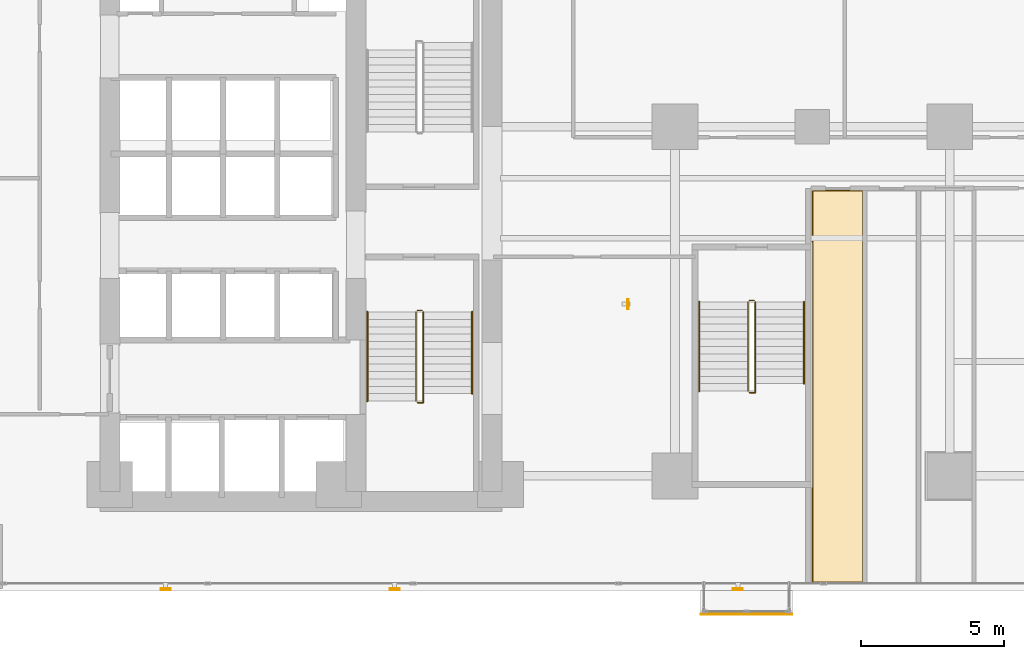
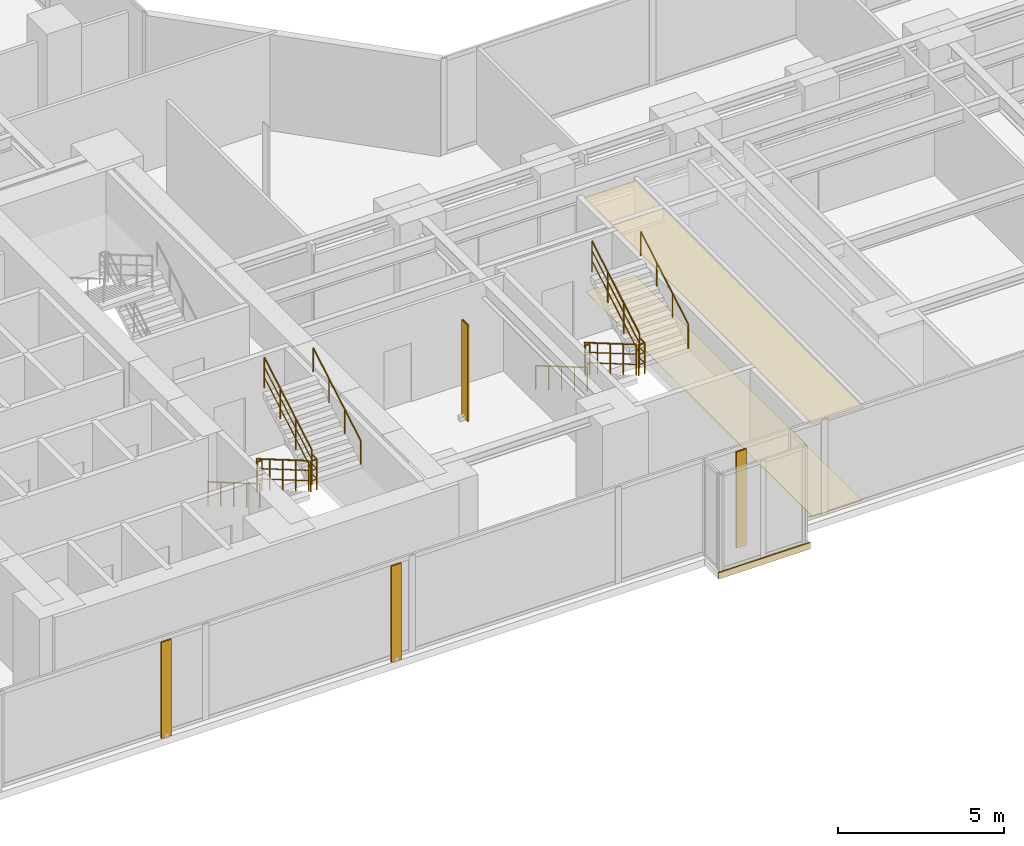
# One storey, part 25 of 27: 12 railings, 4 shading devices, 3 coverings.
"""IFC4 building model written with IfcOpenShell, lengths in metres."""

from ifc_helpers import new_model, si_unit, direction, frame, origin, origin_2d, place, context, subcontext, project, spatial, polyline, rectangle, hollow_rectangle, circle, outline, extrude, material, layer, layer_set, material_profile, profile_set, type_object, element, save


model = new_model("IFC4")

# Units and contexts
model_context = context("Model", 3, precision=1e-05, world=origin(), true_north=direction((0.0, 1.0)))
body_context = subcontext(model_context, "Body", "Model", "MODEL_VIEW")
ifc_project = project(units=[si_unit("LENGTHUNIT", "METRE"), si_unit("AREAUNIT", "SQUARE_METRE"), si_unit("VOLUMEUNIT", "CUBIC_METRE"), si_unit("PLANEANGLEUNIT", "RADIAN"), si_unit("MASSUNIT", "GRAM", prefix="KILO")], contexts=[model_context])

# Site, building, storey
site_placement = place(None, origin())
site = spatial("IfcSite", under=ifc_project, at=site_placement, CompositionType="ELEMENT")
building_placement = place(site_placement, origin())
building = spatial("IfcBuilding", under=site, at=building_placement, Name="Kolvaren Waterfront Exchange", CompositionType="ELEMENT")
storey_placement = place(building_placement, frame((0.0, 0.0, 33.39990234375)))
storey = spatial("IfcBuildingStorey", under=building, at=storey_placement, Name="L08", CompositionType="ELEMENT", Elevation=33.39990234375)

# Coverings
ifc_material_1 = material(Name="Mineral fibre acoustic ceiling tile")
ifc_layer_1 = layer(ifc_material_1, 0.02490234375, Name="Mineral fibre acoustic ceiling tile")
ifc_layer_set_1 = layer_set([ifc_layer_1], Name="Mineral fibre acoustic ceiling tile")
covering_type_1 = type_object("IfcCoveringType", Name="ARC-CEIL-ACOUSTIC-25", PredefinedType="CEILING", material=ifc_layer_set_1)
covering_1_placement = place(storey_placement, frame((0.0, 0.0, 3.425048828125)))
element("IfcCovering", 1, at=covering_1_placement, inside=storey, type_object=covering_type_1, Name="L08 acoustic suspended ceiling 1", PredefinedType="CEILING", context=body_context, shape_type="SweptSolid", body=[
    extrude(outline(polyline([(33.784912109375, 1.465087890625), (33.784912109375, 15.195068359375), (31.9951171875, 15.195068359375), (31.9951171875, 13.35009765625), (32.0, 13.35009765625), (32.0, 4.800048828125), (31.9951171875, 4.800048828125), (31.9951171875, 1.465087890625), (33.784912109375, 1.465087890625)])), origin(), (0.0, 0.0, 1.0), 0.025146484375),
])
ifc_material_2 = material(Name="Anodised bronze fascia aluminium", Category="aluminium")
ifc_layer_2 = layer(ifc_material_2, 0.034912109375, Name="Anodised bronze fascia aluminium")
ifc_layer_set_2 = layer_set([ifc_layer_2], Name="Anodised bronze fascia aluminium")
covering_type_2 = type_object("IfcCoveringType", Name="ARC-CLAD-BRONZE-35", PredefinedType="CLADDING", material=ifc_layer_set_2)
covering_2_placement = place(storey_placement, frame((29.699951171875, 0.3701171875, -0.2197265625), z_axis=(0.0, 0.0, 1.0), x_axis=(1.0, 0.0, 0.0)))
element("IfcCovering", 2, at=covering_2_placement, inside=storey, type_object=covering_type_2, Name="L08 ribbed anodised bronze bay-box fascia", PredefinedType="CLADDING", context=body_context, shape_type="SweptSolid", body=[
    extrude(rectangle(XDim=3.199951171875, YDim=0.034912109375, at=origin_2d()), origin(), (0.0, 0.0, 1.0), 0.239990234375),
])

# Shading devices
ifc_material_3 = material(Name="Anodised bronze aluminium 6063-T6", Category="aluminium")
ifc_material_profile = material_profile(ifc_material_3, hollow_rectangle(XDim=0.06005859375, YDim=0.35009765625, WallThickness=0.0048828125, at=origin_2d()), Name="BRZ-FIN-350x60x5")
ifc_profile_set = profile_set([ifc_material_profile], Name="Anodised bronze aluminium 6063-T6")
shading_device_type = type_object("IfcShadingDeviceType", Name="ARC-FIN-350", PredefinedType="USERDEFINED", material=ifc_profile_set)
for number, where, z_axis, x_axis, name in (
    (3, (9.39990234375, 1.239990234375, 0.0), (0.0, 0.0, 1.0), (0.0, -1.0, 0.0), "L08 anodised bronze solar shading fin FIN-L08-S1"),
    (4, (17.39990234375, 1.239990234375, 0.0), (0.0, 0.0, 1.0), (0.0, -1.0, 0.0), "L08 anodised bronze solar shading fin FIN-L08-S2"),
    (5, (29.39990234375, 1.239990234375, 0.0), (0.0, 0.0, 1.0), (0.0, -1.0, 0.0), "L08 anodised bronze solar shading fin FIN-L08-S3"),
    (6, (25.56005859375, 11.199951171875, 0.0), (0.0, 0.0, 1.0), (1.0, 0.0, 0.0), "L08 anodised bronze solar shading fin FIN-L08-E1"),
):
    element("IfcShadingDevice", number, at=place(storey_placement, frame(where, z_axis=z_axis, x_axis=x_axis)), inside=storey, type_object=shading_device_type, Name=name, ObjectType="SOLAR FIN", PredefinedType="USERDEFINED", context=body_context, shape_type="SweptSolid", body=[
        extrude(hollow_rectangle(XDim=0.06005859375, YDim=0.35009765625, WallThickness=0.0048828125, at=origin_2d()), origin(), (0.0, 0.0, 1.0), 3.5400390625),
    ])

# Covering
ifc_material_4 = material(Name="Slip-resistant porcelain tile")
ifc_layer_3 = layer(ifc_material_4, 0.014892578125, Name="Slip-resistant porcelain tile")
ifc_layer_set_3 = layer_set([ifc_layer_3], Name="Slip-resistant porcelain tile")
covering_type_3 = type_object("IfcCoveringType", Name="ARC-FLR-PORC-15", PredefinedType="FLOORING", material=ifc_layer_set_3)
covering_3_placement = place(storey_placement, origin())
element("IfcCovering", 7, at=covering_3_placement, inside=storey, type_object=covering_type_3, Name="L08 floor finish 1", PredefinedType="FLOORING", context=body_context, shape_type="SweptSolid", body=[
    extrude(outline(polyline([(32.030029296875, 15.159912109375), (32.030029296875, 1.5), (33.75, 1.5), (33.75, 15.159912109375), (32.030029296875, 15.159912109375)])), origin(), (0.0, 0.0, 1.0), 0.01513671875),
])

# Railings
ifc_material_5 = material(Name="Stainless steel 316", Category="steel")
railing_type_1 = type_object("IfcRailingType", Name="ARC-GUARD-STAIR", PredefinedType="GUARDRAIL", material=ifc_material_5)
railing_1_placement = place(storey_placement, frame((18.14990234375, 10.929931640625, 0.152099609375)))
element("IfcRailing", 8, at=railing_1_placement, inside=storey, type_object=railing_type_1, Name="L08 ST1 stair guard 1", PredefinedType="GUARDRAIL", context=body_context, shape_type="SweptSolid", body=[
    extrude(circle(Radius=0.02392578125, at=origin_2d()), frame((0.0, 0.0, 1.1259765625), z_axis=(0.0, -0.86329090724, 0.504706656858), x_axis=(1.0, 0.0, 0.0)), (0.0, 0.0, 1.0), 3.614013671875),
    extrude(circle(Radius=0.01611328125, at=origin_2d()), frame((0.0, 0.0, 0.390869140625), z_axis=(0.0, -0.86329090724, 0.504706656858), x_axis=(1.0, 0.0, 0.0)), (0.0, 0.0, 1.0), 3.614013671875),
    extrude(circle(Radius=0.01611328125, at=origin_2d()), frame((0.0, 0.0, 0.7705078125), z_axis=(0.0, -0.86329090724, 0.504706656858), x_axis=(1.0, 0.0, 0.0)), (0.0, 0.0, 1.0), 3.614013671875),
    extrude(circle(Radius=0.02099609375, at=origin_2d()), origin(), (0.0, 0.0, 1.0), 1.101806640625),
    extrude(circle(Radius=0.02099609375, at=origin_2d()), frame((0.0, -0.780029296875, 0.4560546875)), (0.0, 0.0, 1.0), 1.101806640625),
    extrude(circle(Radius=0.02099609375, at=origin_2d()), frame((0.0, -1.56005859375, 0.912109375)), (0.0, 0.0, 1.0), 1.101806640625),
    extrude(circle(Radius=0.02099609375, at=origin_2d()), frame((0.0, -2.33984375, 1.367919921875)), (0.0, 0.0, 1.0), 1.101806640625),
    extrude(circle(Radius=0.02099609375, at=origin_2d()), frame((0.0, -3.119873046875, 1.823974609375)), (0.0, 0.0, 1.0), 1.101806640625),
])
railing_2_placement = place(storey_placement, frame((18.199951171875, 7.760009765625, 1.97607421875)))
element("IfcRailing", 9, at=railing_2_placement, inside=storey, type_object=railing_type_1, Name="L08 ST1 stair guard 2", PredefinedType="GUARDRAIL", context=body_context, shape_type="SweptSolid", body=[
    extrude(circle(Radius=0.02392578125, at=origin_2d()), frame((0.0, 0.0, 1.1259765625), z_axis=(1.0, 0.0, 0.0), x_axis=(0.0, 1.0, 0.0)), (0.0, 0.0, 1.0), 0.2099609375),
    extrude(circle(Radius=0.01611328125, at=origin_2d()), frame((0.0, 0.0, 0.390869140625), z_axis=(1.0, 0.0, 0.0), x_axis=(0.0, 1.0, 0.0)), (0.0, 0.0, 1.0), 0.2099609375),
    extrude(circle(Radius=0.01611328125, at=origin_2d()), frame((0.0, 0.0, 0.7705078125), z_axis=(1.0, 0.0, 0.0), x_axis=(0.0, 1.0, 0.0)), (0.0, 0.0, 1.0), 0.2099609375),
    extrude(circle(Radius=0.02392578125, at=origin_2d()), frame((0.2099609375, 0.0, 1.1259765625), z_axis=(0.0, 1.0, 0.0), x_axis=(-1.0, 0.0, 0.0)), (0.0, 0.0, 1.0), 0.31005859375),
    extrude(circle(Radius=0.01611328125, at=origin_2d()), frame((0.2099609375, 0.0, 0.390869140625), z_axis=(0.0, 1.0, 0.0), x_axis=(-1.0, 0.0, 0.0)), (0.0, 0.0, 1.0), 0.31005859375),
    extrude(circle(Radius=0.01611328125, at=origin_2d()), frame((0.2099609375, 0.0, 0.7705078125), z_axis=(0.0, 1.0, 0.0), x_axis=(-1.0, 0.0, 0.0)), (0.0, 0.0, 1.0), 0.31005859375),
    extrude(circle(Radius=0.02099609375, at=origin_2d()), origin(), (0.0, 0.0, 1.0), 1.101806640625),
    extrude(circle(Radius=0.02099609375, at=origin_2d()), frame((0.2099609375, 0.0, 0.0)), (0.0, 0.0, 1.0), 1.101806640625),
    extrude(circle(Radius=0.02099609375, at=origin_2d()), frame((0.2099609375, 0.31005859375, 0.0)), (0.0, 0.0, 1.0), 1.101806640625),
])
railing_3_placement = place(storey_placement, frame((18.409912109375, 8.070068359375, 2.128173828125)))
element("IfcRailing", 10, at=railing_3_placement, inside=storey, type_object=railing_type_1, Name="L08 ST1 stair guard 3", PredefinedType="GUARDRAIL", context=body_context, shape_type="SweptSolid", body=[
    extrude(circle(Radius=0.02392578125, at=origin_2d()), frame((0.0, 0.0, 1.1259765625), z_axis=(0.0, 0.86330272217, 0.504686447108), x_axis=(-1.0, 0.0, 0.0)), (0.0, 0.0, 1.0), 3.312744140625),
    extrude(circle(Radius=0.01611328125, at=origin_2d()), frame((0.0, 0.0, 0.390869140625), z_axis=(0.0, 0.86330272217, 0.504686447108), x_axis=(-1.0, 0.0, 0.0)), (0.0, 0.0, 1.0), 3.312744140625),
    extrude(circle(Radius=0.01611328125, at=origin_2d()), frame((0.0, 0.0, 0.7705078125), z_axis=(0.0, 0.86330272217, 0.504686447108), x_axis=(-1.0, 0.0, 0.0)), (0.0, 0.0, 1.0), 3.312744140625),
    extrude(circle(Radius=0.02099609375, at=origin_2d()), origin(), (0.0, 0.0, 1.0), 1.101806640625),
    extrude(circle(Radius=0.02099609375, at=origin_2d()), frame((0.0, 0.953369140625, 0.557373046875)), (0.0, 0.0, 1.0), 1.101806640625),
    extrude(circle(Radius=0.02099609375, at=origin_2d()), frame((0.0, 1.906494140625, 1.114501953125)), (0.0, 0.0, 1.0), 1.101806640625),
    extrude(circle(Radius=0.02099609375, at=origin_2d()), frame((0.0, 2.85986328125, 1.671875)), (0.0, 0.0, 1.0), 1.101806640625),
])
railing_4_placement = place(storey_placement, frame((18.199951171875, 10.97998046875, 0.0)))
element("IfcRailing", 11, at=railing_4_placement, inside=storey, type_object=railing_type_1, Name="L08 ST1 stair guard 4", PredefinedType="GUARDRAIL", context=body_context, shape_type="SweptSolid", body=[
    extrude(circle(Radius=0.02392578125, at=origin_2d()), frame((0.0, 0.0, 1.1259765625), z_axis=(1.0, 0.0, 0.0), x_axis=(0.0, 1.0, 0.0)), (0.0, 0.0, 1.0), 0.16015625),
    extrude(circle(Radius=0.01611328125, at=origin_2d()), frame((0.0, 0.0, 0.390869140625), z_axis=(1.0, 0.0, 0.0), x_axis=(0.0, 1.0, 0.0)), (0.0, 0.0, 1.0), 0.16015625),
    extrude(circle(Radius=0.01611328125, at=origin_2d()), frame((0.0, 0.0, 0.7705078125), z_axis=(1.0, 0.0, 0.0), x_axis=(0.0, 1.0, 0.0)), (0.0, 0.0, 1.0), 0.16015625),
    extrude(circle(Radius=0.02099609375, at=origin_2d()), origin(), (0.0, 0.0, 1.0), 1.101806640625),
    extrude(circle(Radius=0.02099609375, at=origin_2d()), frame((0.16015625, 0.0, 0.0)), (0.0, 0.0, 1.0), 1.101806640625),
])
railing_5_placement = place(storey_placement, frame((29.75, 11.280029296875, 0.152099609375)))
element("IfcRailing", 12, at=railing_5_placement, inside=storey, type_object=railing_type_1, Name="L08 ST3 stair guard 1", PredefinedType="GUARDRAIL", context=body_context, shape_type="SweptSolid", body=[
    extrude(circle(Radius=0.02392578125, at=origin_2d()), frame((0.0, 0.0, 1.1259765625), z_axis=(0.0, -0.86330811405, 0.504677223793), x_axis=(1.0, 0.0, 0.0)), (0.0, 0.0, 1.0), 3.6142578125),
    extrude(circle(Radius=0.01611328125, at=origin_2d()), frame((0.0, 0.0, 0.390869140625), z_axis=(0.0, -0.86330811405, 0.504677223793), x_axis=(1.0, 0.0, 0.0)), (0.0, 0.0, 1.0), 3.6142578125),
    extrude(circle(Radius=0.01611328125, at=origin_2d()), frame((0.0, 0.0, 0.7705078125), z_axis=(0.0, -0.86330811405, 0.504677223793), x_axis=(1.0, 0.0, 0.0)), (0.0, 0.0, 1.0), 3.6142578125),
    extrude(circle(Radius=0.02099609375, at=origin_2d()), origin(), (0.0, 0.0, 1.0), 1.101806640625),
    extrude(circle(Radius=0.02099609375, at=origin_2d()), frame((0.0, -0.780029296875, 0.4560546875)), (0.0, 0.0, 1.0), 1.101806640625),
    extrude(circle(Radius=0.02099609375, at=origin_2d()), frame((0.0, -1.56005859375, 0.912109375)), (0.0, 0.0, 1.0), 1.101806640625),
    extrude(circle(Radius=0.02099609375, at=origin_2d()), frame((0.0, -2.340087890625, 1.367919921875)), (0.0, 0.0, 1.0), 1.101806640625),
    extrude(circle(Radius=0.02099609375, at=origin_2d()), frame((0.0, -3.1201171875, 1.823974609375)), (0.0, 0.0, 1.0), 1.101806640625),
])
railing_6_placement = place(storey_placement, frame((29.800048828125, 8.110107421875, 1.97607421875)))
element("IfcRailing", 13, at=railing_6_placement, inside=storey, type_object=railing_type_1, Name="L08 ST3 stair guard 2", PredefinedType="GUARDRAIL", context=body_context, shape_type="SweptSolid", body=[
    extrude(circle(Radius=0.02392578125, at=origin_2d()), frame((0.0, 0.0, 1.1259765625), z_axis=(1.0, 0.0, 0.0), x_axis=(0.0, 1.0, 0.0)), (0.0, 0.0, 1.0), 0.2099609375),
    extrude(circle(Radius=0.01611328125, at=origin_2d()), frame((0.0, 0.0, 0.390869140625), z_axis=(1.0, 0.0, 0.0), x_axis=(0.0, 1.0, 0.0)), (0.0, 0.0, 1.0), 0.2099609375),
    extrude(circle(Radius=0.01611328125, at=origin_2d()), frame((0.0, 0.0, 0.7705078125), z_axis=(1.0, 0.0, 0.0), x_axis=(0.0, 1.0, 0.0)), (0.0, 0.0, 1.0), 0.2099609375),
    extrude(circle(Radius=0.02392578125, at=origin_2d()), frame((0.2099609375, 0.0, 1.1259765625), z_axis=(0.0, 1.0, 0.0), x_axis=(-1.0, 0.0, 0.0)), (0.0, 0.0, 1.0), 0.309814453125),
    extrude(circle(Radius=0.01611328125, at=origin_2d()), frame((0.2099609375, 0.0, 0.390869140625), z_axis=(0.0, 1.0, 0.0), x_axis=(-1.0, 0.0, 0.0)), (0.0, 0.0, 1.0), 0.309814453125),
    extrude(circle(Radius=0.01611328125, at=origin_2d()), frame((0.2099609375, 0.0, 0.7705078125), z_axis=(0.0, 1.0, 0.0), x_axis=(-1.0, 0.0, 0.0)), (0.0, 0.0, 1.0), 0.309814453125),
    extrude(circle(Radius=0.02099609375, at=origin_2d()), origin(), (0.0, 0.0, 1.0), 1.101806640625),
    extrude(circle(Radius=0.02099609375, at=origin_2d()), frame((0.2099609375, 0.0, 0.0)), (0.0, 0.0, 1.0), 1.101806640625),
    extrude(circle(Radius=0.02099609375, at=origin_2d()), frame((0.2099609375, 0.309814453125, 0.0)), (0.0, 0.0, 1.0), 1.101806640625),
])
railing_7_placement = place(storey_placement, frame((30.010009765625, 8.419921875, 2.128173828125)))
element("IfcRailing", 14, at=railing_7_placement, inside=storey, type_object=railing_type_1, Name="L08 ST3 stair guard 3", PredefinedType="GUARDRAIL", context=body_context, shape_type="SweptSolid", body=[
    extrude(circle(Radius=0.02392578125, at=origin_2d()), frame((0.0, 0.0, 1.1259765625), z_axis=(0.0, 0.863321491973, 0.504654338629), x_axis=(-1.0, 0.0, 0.0)), (0.0, 0.0, 1.0), 3.31298828125),
    extrude(circle(Radius=0.01611328125, at=origin_2d()), frame((0.0, 0.0, 0.390869140625), z_axis=(0.0, 0.863321491973, 0.504654338629), x_axis=(-1.0, 0.0, 0.0)), (0.0, 0.0, 1.0), 3.31298828125),
    extrude(circle(Radius=0.01611328125, at=origin_2d()), frame((0.0, 0.0, 0.7705078125), z_axis=(0.0, 0.863321491973, 0.504654338629), x_axis=(-1.0, 0.0, 0.0)), (0.0, 0.0, 1.0), 3.31298828125),
    extrude(circle(Radius=0.02099609375, at=origin_2d()), origin(), (0.0, 0.0, 1.0), 1.101806640625),
    extrude(circle(Radius=0.02099609375, at=origin_2d()), frame((0.0, 0.953369140625, 0.557373046875)), (0.0, 0.0, 1.0), 1.101806640625),
    extrude(circle(Radius=0.02099609375, at=origin_2d()), frame((0.0, 1.90673828125, 1.114501953125)), (0.0, 0.0, 1.0), 1.101806640625),
    extrude(circle(Radius=0.02099609375, at=origin_2d()), frame((0.0, 2.860107421875, 1.671875)), (0.0, 0.0, 1.0), 1.101806640625),
])
railing_8_placement = place(storey_placement, frame((29.800048828125, 11.330078125, 0.0)))
element("IfcRailing", 15, at=railing_8_placement, inside=storey, type_object=railing_type_1, Name="L08 ST3 stair guard 4", PredefinedType="GUARDRAIL", context=body_context, shape_type="SweptSolid", body=[
    extrude(circle(Radius=0.02392578125, at=origin_2d()), frame((0.0, 0.0, 1.1259765625), z_axis=(1.0, 0.0, 0.0), x_axis=(0.0, 1.0, 0.0)), (0.0, 0.0, 1.0), 0.159912109375),
    extrude(circle(Radius=0.01611328125, at=origin_2d()), frame((0.0, 0.0, 0.390869140625), z_axis=(1.0, 0.0, 0.0), x_axis=(0.0, 1.0, 0.0)), (0.0, 0.0, 1.0), 0.159912109375),
    extrude(circle(Radius=0.01611328125, at=origin_2d()), frame((0.0, 0.0, 0.7705078125), z_axis=(1.0, 0.0, 0.0), x_axis=(0.0, 1.0, 0.0)), (0.0, 0.0, 1.0), 0.159912109375),
    extrude(circle(Radius=0.02099609375, at=origin_2d()), origin(), (0.0, 0.0, 1.0), 1.101806640625),
    extrude(circle(Radius=0.02099609375, at=origin_2d()), frame((0.159912109375, 0.0, 0.0)), (0.0, 0.0, 1.0), 1.101806640625),
])
railing_type_2 = type_object("IfcRailingType", Name="ARC-HANDRAIL-900", PredefinedType="HANDRAIL", material=ifc_material_5)
railing_9_placement = place(storey_placement, frame((16.449951171875, 10.929931640625, 0.152099609375)))
element("IfcRailing", 16, at=railing_9_placement, inside=storey, type_object=railing_type_2, Name="L08 ST1 stair handrail 1", PredefinedType="HANDRAIL", context=body_context, shape_type="SweptSolid", body=[
    extrude(circle(Radius=0.02392578125, at=origin_2d()), frame((0.0, 0.0, 0.8759765625), z_axis=(0.0, -0.86329090724, 0.504706656858), x_axis=(1.0, 0.0, 0.0)), (0.0, 0.0, 1.0), 3.614013671875),
    extrude(circle(Radius=0.02099609375, at=origin_2d()), origin(), (0.0, 0.0, 1.0), 0.851806640625),
    extrude(circle(Radius=0.02099609375, at=origin_2d()), frame((0.0, -0.780029296875, 0.4560546875)), (0.0, 0.0, 1.0), 0.851806640625),
    extrude(circle(Radius=0.02099609375, at=origin_2d()), frame((0.0, -1.56005859375, 0.912109375)), (0.0, 0.0, 1.0), 0.851806640625),
    extrude(circle(Radius=0.02099609375, at=origin_2d()), frame((0.0, -2.33984375, 1.367919921875)), (0.0, 0.0, 1.0), 0.851806640625),
    extrude(circle(Radius=0.02099609375, at=origin_2d()), frame((0.0, -3.119873046875, 1.823974609375)), (0.0, 0.0, 1.0), 0.851806640625),
])
railing_10_placement = place(storey_placement, frame((20.110107421875, 8.070068359375, 2.128173828125)))
element("IfcRailing", 17, at=railing_10_placement, inside=storey, type_object=railing_type_2, Name="L08 ST1 stair handrail 2", PredefinedType="HANDRAIL", context=body_context, shape_type="SweptSolid", body=[
    extrude(circle(Radius=0.02392578125, at=origin_2d()), frame((0.0, 0.0, 0.8759765625), z_axis=(0.0, 0.86330272217, 0.504686447108), x_axis=(-1.0, 0.0, 0.0)), (0.0, 0.0, 1.0), 3.312744140625),
    extrude(circle(Radius=0.02099609375, at=origin_2d()), origin(), (0.0, 0.0, 1.0), 0.851806640625),
    extrude(circle(Radius=0.02099609375, at=origin_2d()), frame((0.0, 0.953369140625, 0.557373046875)), (0.0, 0.0, 1.0), 0.851806640625),
    extrude(circle(Radius=0.02099609375, at=origin_2d()), frame((0.0, 1.906494140625, 1.114501953125)), (0.0, 0.0, 1.0), 0.851806640625),
    extrude(circle(Radius=0.02099609375, at=origin_2d()), frame((0.0, 2.85986328125, 1.671875)), (0.0, 0.0, 1.0), 0.851806640625),
])
railing_11_placement = place(storey_placement, frame((28.050048828125, 11.280029296875, 0.152099609375)))
element("IfcRailing", 18, at=railing_11_placement, inside=storey, type_object=railing_type_2, Name="L08 ST3 stair handrail 1", PredefinedType="HANDRAIL", context=body_context, shape_type="SweptSolid", body=[
    extrude(circle(Radius=0.02392578125, at=origin_2d()), frame((0.0, 0.0, 0.8759765625), z_axis=(0.0, -0.86330811405, 0.504677223793), x_axis=(1.0, 0.0, 0.0)), (0.0, 0.0, 1.0), 3.6142578125),
    extrude(circle(Radius=0.02099609375, at=origin_2d()), origin(), (0.0, 0.0, 1.0), 0.851806640625),
    extrude(circle(Radius=0.02099609375, at=origin_2d()), frame((0.0, -0.780029296875, 0.4560546875)), (0.0, 0.0, 1.0), 0.851806640625),
    extrude(circle(Radius=0.02099609375, at=origin_2d()), frame((0.0, -1.56005859375, 0.912109375)), (0.0, 0.0, 1.0), 0.851806640625),
    extrude(circle(Radius=0.02099609375, at=origin_2d()), frame((0.0, -2.340087890625, 1.367919921875)), (0.0, 0.0, 1.0), 0.851806640625),
    extrude(circle(Radius=0.02099609375, at=origin_2d()), frame((0.0, -3.1201171875, 1.823974609375)), (0.0, 0.0, 1.0), 0.851806640625),
])
railing_12_placement = place(storey_placement, frame((31.7099609375, 8.419921875, 2.128173828125)))
element("IfcRailing", 19, at=railing_12_placement, inside=storey, type_object=railing_type_2, Name="L08 ST3 stair handrail 2", PredefinedType="HANDRAIL", context=body_context, shape_type="SweptSolid", body=[
    extrude(circle(Radius=0.02392578125, at=origin_2d()), frame((0.0, 0.0, 0.8759765625), z_axis=(0.0, 0.863321491973, 0.504654338629), x_axis=(-1.0, 0.0, 0.0)), (0.0, 0.0, 1.0), 3.31298828125),
    extrude(circle(Radius=0.02099609375, at=origin_2d()), origin(), (0.0, 0.0, 1.0), 0.851806640625),
    extrude(circle(Radius=0.02099609375, at=origin_2d()), frame((0.0, 0.953369140625, 0.557373046875)), (0.0, 0.0, 1.0), 0.851806640625),
    extrude(circle(Radius=0.02099609375, at=origin_2d()), frame((0.0, 1.90673828125, 1.114501953125)), (0.0, 0.0, 1.0), 0.851806640625),
    extrude(circle(Radius=0.02099609375, at=origin_2d()), frame((0.0, 2.860107421875, 1.671875)), (0.0, 0.0, 1.0), 0.851806640625),
])

save(model, "model.ifc")
